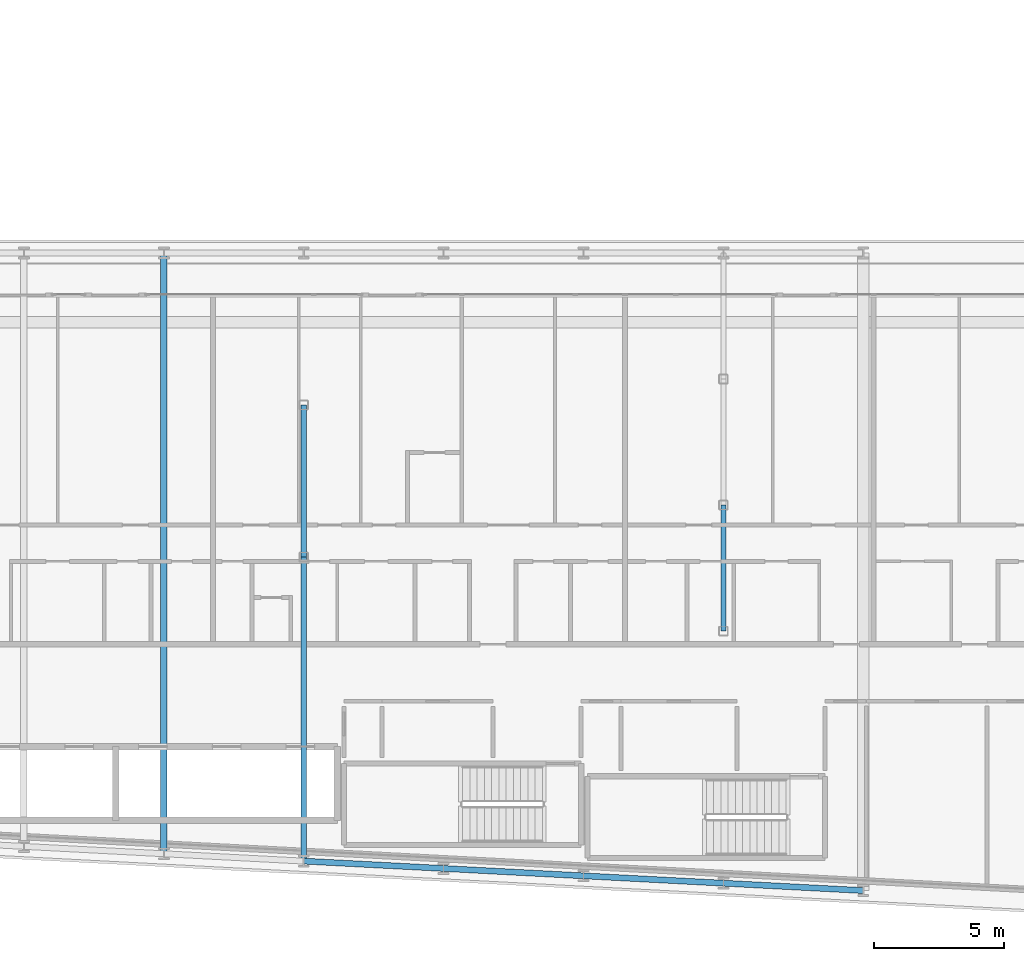
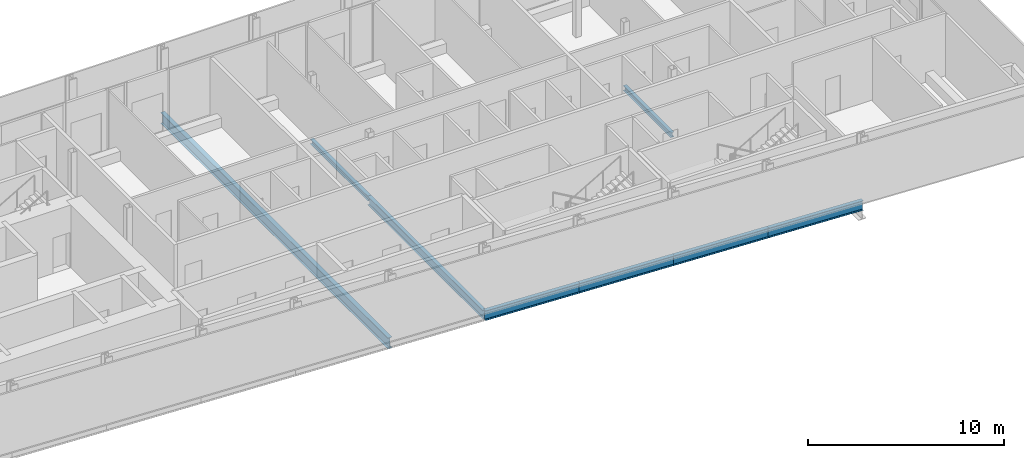
# One storey, part 5 of 28: 8 beams.
"""IFC4 building model written with IfcOpenShell, lengths in metres."""

from ifc_helpers import new_model, si_unit, direction, frame, origin, origin_2d, place, context, subcontext, project, spatial, i_section, extrude, material, material_profile, profile_set, type_object, element, save


model = new_model("IFC4")

# Units and contexts
model_context = context("Model", 3, precision=1e-05, world=origin(), true_north=direction((0.0, 1.0)))
body_context = subcontext(model_context, "Body", "Model", "MODEL_VIEW")
ifc_project = project(units=[si_unit("LENGTHUNIT", "METRE"), si_unit("AREAUNIT", "SQUARE_METRE"), si_unit("VOLUMEUNIT", "CUBIC_METRE"), si_unit("PLANEANGLEUNIT", "RADIAN"), si_unit("MASSUNIT", "GRAM", prefix="KILO")], contexts=[model_context])

# Site, building, storey
site_placement = place(None, origin())
site = spatial("IfcSite", under=ifc_project, at=site_placement, CompositionType="ELEMENT")
building_placement = place(site_placement, origin())
building = spatial("IfcBuilding", under=site, at=building_placement, Name="Kheshtan School and Residences Tower", CompositionType="ELEMENT")
storey_placement = place(building_placement, frame((0.0, 0.0, 129.199951171875)))
storey = spatial("IfcBuildingStorey", under=building, at=storey_placement, Name="L30", CompositionType="ELEMENT", Elevation=129.199951171875)

# Beams
ifc_material = material(Name="Steel ASTM A992 Grade 50", Category="steel")
ifc_material_profile_1 = material_profile(ifc_material, i_section(OverallWidth=0.202880859375, OverallDepth=0.302978515625, WebThickness=0.007568359375, FlangeThickness=0.01318359375, FilletRadius=0.009033203125, at=origin_2d()), Name="W310x60")
ifc_profile_set_1 = profile_set([ifc_material_profile_1], Name="Steel ASTM A992 Grade 50")
beam_type_1 = type_object("IfcBeamType", Name="Beam FB1 W310x60 ASTM A992 Grade 50", PredefinedType="BEAM", material=ifc_profile_set_1)
beam_1_placement = place(storey_placement, frame((85.39990234375, 31.0048828125, -0.301513671875), z_axis=(0.0, 1.0, 0.0), x_axis=(-1.0, 0.0, 0.0)))
element("IfcBeam", 1, at=beam_1_placement, inside=storey, type_object=beam_type_1, Name="Floor beam IC", PredefinedType="BEAM", context=body_context, shape_type="SweptSolid", body=[
    extrude(i_section(OverallWidth=0.202880859375, OverallDepth=0.302978515625, WebThickness=0.007568359375, FlangeThickness=0.01318359375, FilletRadius=0.009033203125, at=origin_2d()), origin(), (0.0, 0.0, 1.0), 4.865234375),
])
beam_2_placement = place(storey_placement, frame((69.199951171875, 33.863037109375, -0.301513671875), z_axis=(0.0, 1.0, 0.0), x_axis=(-1.0, 0.0, 0.0)))
element("IfcBeam", 2, at=beam_2_placement, inside=storey, type_object=beam_type_1, Name="Floor beam IC", PredefinedType="BEAM", context=body_context, shape_type="SweptSolid", body=[
    extrude(i_section(OverallWidth=0.202880859375, OverallDepth=0.302978515625, WebThickness=0.007568359375, FlangeThickness=0.01318359375, FilletRadius=0.009033203125, at=origin_2d()), origin(), (0.0, 0.0, 1.0), 5.868896484375),
])
ifc_material_profile_2 = material_profile(ifc_material, i_section(OverallWidth=0.208984375, OverallDepth=0.532958984375, WebThickness=0.01025390625, FlangeThickness=0.015625, FilletRadius=0.013916015625, at=origin_2d()), Name="W530x92")
ifc_profile_set_2 = profile_set([ifc_material_profile_2], Name="Steel ASTM A992 Grade 50")
beam_type_2 = type_object("IfcBeamType", Name="Beam FB4 W530x92 ASTM A992 Grade 50", PredefinedType="BEAM", material=ifc_profile_set_2)
beam_3_placement = place(storey_placement, frame((69.199951171875, 22.126953125, -0.41650390625), z_axis=(0.0, 1.0, 0.0), x_axis=(-1.0, 0.0, 0.0)))
element("IfcBeam", 3, at=beam_3_placement, inside=storey, type_object=beam_type_2, Name="Floor beam C014", PredefinedType="BEAM", context=body_context, shape_type="SweptSolid", body=[
    extrude(i_section(OverallWidth=0.208984375, OverallDepth=0.532958984375, WebThickness=0.01025390625, FlangeThickness=0.015625, FilletRadius=0.013916015625, at=origin_2d()), origin(), (0.0, 0.0, 1.0), 11.736083984375),
])
ifc_material_profile_3 = material_profile(ifc_material, i_section(OverallWidth=0.2529296875, OverallDepth=0.677978515625, WebThickness=0.01171875, FlangeThickness=0.016357421875, FilletRadius=0.0146484375, at=origin_2d()), Name="W690x125")
ifc_profile_set_3 = profile_set([ifc_material_profile_3], Name="Steel ASTM A992 Grade 50")
beam_type_3 = type_object("IfcBeamType", Name="Beam FB6 W690x125 ASTM A992 Grade 50", PredefinedType="BEAM", material=ifc_profile_set_3)
beam_4_placement = place(storey_placement, frame((63.800048828125, 45.60009765625, -0.489013671875), z_axis=(0.0, -1.0, 0.0), x_axis=(1.0, 0.0, 0.0)))
element("IfcBeam", 4, at=beam_4_placement, inside=storey, type_object=beam_type_3, Name="Floor beam C063", PredefinedType="BEAM", context=body_context, shape_type="SweptSolid", body=[
    extrude(i_section(OverallWidth=0.2529296875, OverallDepth=0.677978515625, WebThickness=0.01171875, FlangeThickness=0.016357421875, FilletRadius=0.0146484375, at=origin_2d()), origin(), (0.0, 0.0, 1.0), 23.189208984375),
])
ifc_material_profile_4 = material_profile(ifc_material, i_section(OverallWidth=0.22802734375, OverallDepth=0.60302734375, WebThickness=0.010498046875, FlangeThickness=0.014892578125, FilletRadius=0.013427734375, at=origin_2d()), Name="W610x101")
ifc_profile_set_4 = profile_set([ifc_material_profile_4], Name="Steel ASTM A992 Grade 50")
beam_type_4 = type_object("IfcBeamType", Name="Beam SP2 W610x101 ASTM A992 Grade 50", PredefinedType="BEAM", material=ifc_profile_set_4)
beam_5_placement = place(storey_placement, frame((90.800048828125, 20.989990234375, -0.451416015625), z_axis=(-0.998620571751, 0.05250670125, 0.0), x_axis=(-0.05250670125, -0.998620571751, 0.0)))
element("IfcBeam", 5, at=beam_5_placement, inside=storey, type_object=beam_type_4, Name="Spandrel beam C006-C008", PredefinedType="BEAM", context=body_context, shape_type="SweptSolid", body=[
    extrude(i_section(OverallWidth=0.22802734375, OverallDepth=0.60302734375, WebThickness=0.010498046875, FlangeThickness=0.014892578125, FilletRadius=0.013427734375, at=origin_2d()), origin(), (0.0, 0.0, 1.0), 5.40771484375),
])
for number, where, z_axis, x_axis, name in (
    (6, (85.39990234375, 21.27392578125, -0.451416015625), (-0.998618078766, 0.052554093665, 0.0), (-0.052554093665, -0.998618078766, 0.0), "Spandrel beam C008-C012"),
    (7, (80.0, 21.55810546875, -0.451416015625), (-0.998610961136, 0.052689166816, 0.0), (-0.052689166816, -0.998610961136, 0.0), "Spandrel beam C012-C013"),
):
    element("IfcBeam", number, at=place(storey_placement, frame(where, z_axis=z_axis, x_axis=x_axis)), inside=storey, type_object=beam_type_4, Name=name, PredefinedType="BEAM", context=body_context, shape_type="SweptSolid", body=[
        extrude(i_section(OverallWidth=0.22802734375, OverallDepth=0.60302734375, WebThickness=0.010498046875, FlangeThickness=0.014892578125, FilletRadius=0.013427734375, at=origin_2d()), origin(), (0.0, 0.0, 1.0), 5.407470703125),
    ])
beam_6_placement = place(storey_placement, frame((74.60009765625, 21.843017578125, -0.451416015625), z_axis=(-0.998620571751, 0.05250670125, 0.0), x_axis=(-0.05250670125, -0.998620571751, 0.0)))
element("IfcBeam", 8, at=beam_6_placement, inside=storey, type_object=beam_type_4, Name="Spandrel beam C013-C014", PredefinedType="BEAM", context=body_context, shape_type="SweptSolid", body=[
    extrude(i_section(OverallWidth=0.22802734375, OverallDepth=0.60302734375, WebThickness=0.010498046875, FlangeThickness=0.014892578125, FilletRadius=0.013427734375, at=origin_2d()), origin(), (0.0, 0.0, 1.0), 5.40771484375),
])

save(model, "model.ifc")
